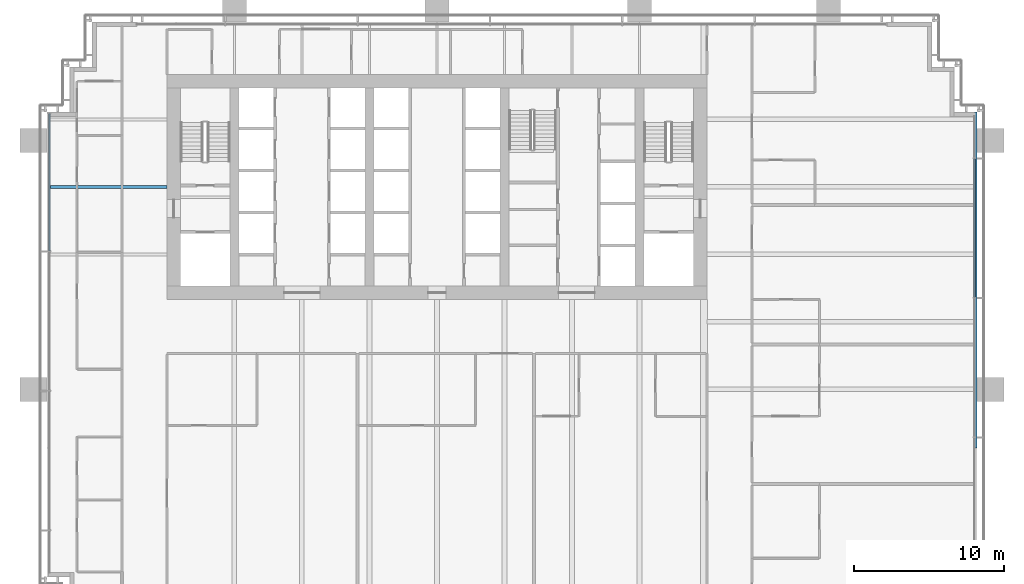
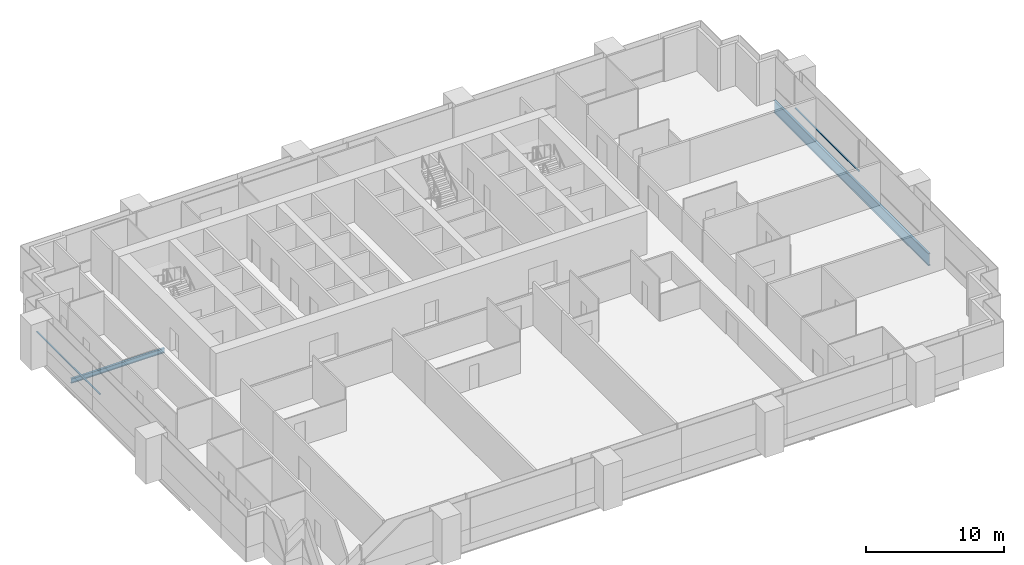
# One storey, part 7 of 19: 2 beams, 2 members, 2 elements without a shape of their own.
"""IFC4 building model written with IfcOpenShell, lengths in metres."""

from ifc_helpers import new_model, si_unit, direction, frame, origin, origin_2d, place, context, subcontext, project, spatial, rectangle, i_section, extrude, material, material_profile, profile_set, type_object, element, aggregate, save


model = new_model("IFC4")

# Units and contexts
model_context = context("Model", 3, precision=1e-05, world=origin(), true_north=direction((0.0, 1.0)))
body_context = subcontext(model_context, "Body", "Model", "MODEL_VIEW")
ifc_project = project(units=[si_unit("LENGTHUNIT", "METRE"), si_unit("AREAUNIT", "SQUARE_METRE"), si_unit("VOLUMEUNIT", "CUBIC_METRE"), si_unit("PLANEANGLEUNIT", "RADIAN"), si_unit("MASSUNIT", "GRAM", prefix="KILO")], contexts=[model_context])

# Site, building, storey
site_placement = place(None, origin())
site = spatial("IfcSite", under=ifc_project, at=site_placement, CompositionType="ELEMENT")
building_placement = place(site_placement, origin())
building = spatial("IfcBuilding", under=site, at=building_placement, Name="Rattan Terrace Tower", CompositionType="ELEMENT")
storey_placement = place(building_placement, frame((0.0, 0.0, 111.699951171875)))
storey = spatial("IfcBuildingStorey", under=building, at=storey_placement, Name="L25", CompositionType="ELEMENT", Elevation=111.699951171875)

# Curtain wall, member
ifc_material_1 = material(Name="Aluminium and glass", Category="aluminium")
curtain_wall_type = type_object("IfcCurtainWallType", Name="Facade Unitised Curtain Wall", PredefinedType="NOTDEFINED", material=ifc_material_1)
curtain_wall_1_placement = place(storey_placement, origin())
curtain_wall_1 = element("IfcCurtainWall", 1, at=curtain_wall_1_placement, inside=storey, type_object=curtain_wall_type, Name="Curtain wall L25-1", PredefinedType="NOTDEFINED")
ifc_material_2 = material(Name="Aluminium", Category="aluminium")
ifc_material_profile_1 = material_profile(ifc_material_2, rectangle(XDim=0.1201171875, YDim=0.06005859375, at=origin_2d()), Name="Aluminium 120x60")
ifc_profile_set_1 = profile_set([ifc_material_profile_1], Name="Aluminium")
member_type = type_object("IfcMemberType", Name="Facade CW Transom 120x60", PredefinedType="USERDEFINED", material=ifc_profile_set_1)
member_1_placement = place(storey_placement, frame((35.830078125, -7.3701171875, 1.0), z_axis=(0.0, 1.0, 0.0), x_axis=(-1.0, 0.0, 0.0)))
member_1 = element("IfcMember", 2, at=member_1_placement, type_object=member_type, Name="Transom cwl-L25-001.3", ObjectType="TRANSOM", PredefinedType="USERDEFINED", context=body_context, shape_type="SweptSolid", body=[
    extrude(rectangle(XDim=0.1201171875, YDim=0.06005859375, at=origin_2d()), origin(), (0.0, 0.0, 1.0), 9.240234375),
])
aggregate(curtain_wall_1, [member_1])

curtain_wall_2_placement = place(storey_placement, origin())
curtain_wall_2 = element("IfcCurtainWall", 3, at=curtain_wall_2_placement, inside=storey, type_object=curtain_wall_type, Name="Curtain wall L25-3", PredefinedType="NOTDEFINED")
member_2_placement = place(storey_placement, frame((-25.830078125, 4.89501953125, 1.0), z_axis=(0.0, -1.0, 0.0), x_axis=(1.0, 0.0, 0.0)))
member_2 = element("IfcMember", 4, at=member_2_placement, type_object=member_type, Name="Transom cwl-L25-003.1", ObjectType="TRANSOM", PredefinedType="USERDEFINED", context=body_context, shape_type="SweptSolid", body=[
    extrude(rectangle(XDim=0.1201171875, YDim=0.06005859375, at=origin_2d()), origin(), (0.0, 0.0, 1.0), 9.1650390625),
])
aggregate(curtain_wall_2, [member_2])

# Beams
ifc_material_3 = material(Name="Steel S460", Category="steel")
ifc_material_profile_2 = material_profile(ifc_material_3, i_section(OverallWidth=0.179931640625, OverallDepth=1.10009765625, WebThickness=0.01611328125, FlangeThickness=0.050048828125, at=origin_2d()), Name="PG 1100x180-16-50")
ifc_profile_set_2 = profile_set([ifc_material_profile_2], Name="Steel S460")
beam_type_1 = type_object("IfcBeamType", Name="Frame edge girder PG 1100x180-16-50", PredefinedType="SPANDREL", material=ifc_profile_set_2)
beam_1_placement = place(storey_placement, frame((35.909912109375, 5.0, -0.75), z_axis=(0.0, -1.0, 0.0), x_axis=(1.0, 0.0, 0.0)))
element("IfcBeam", 5, at=beam_1_placement, inside=storey, type_object=beam_type_1, Name="gdr-L25-005", PredefinedType="SPANDREL", context=body_context, shape_type="SweptSolid", body=[
    extrude(i_section(OverallWidth=0.179931640625, OverallDepth=1.10009765625, WebThickness=0.01611328125, FlangeThickness=0.050048828125, at=origin_2d()), origin(), (0.0, 0.0, 1.0), 22.39990234375),
])
ifc_material_4 = material(Name="Steel S355", Category="steel")
ifc_material_profile_3 = material_profile(ifc_material_4, i_section(OverallWidth=0.179931640625, OverallDepth=0.39990234375, WebThickness=0.008544921875, FlangeThickness=0.013427734375, FilletRadius=0.02099609375, at=origin_2d()), Name="IPE 400")
ifc_profile_set_3 = profile_set([ifc_material_profile_3], Name="Steel S355")
beam_type_2 = type_object("IfcBeamType", Name="Frame floor beam IPE 400", PredefinedType="JOIST", material=ifc_profile_set_3)
beam_2_placement = place(storey_placement, frame((-25.820068359375, 0.0, -0.39990234375), z_axis=(1.0, 0.0, 0.0), x_axis=(0.0, 1.0, 0.0)))
element("IfcBeam", 6, at=beam_2_placement, inside=storey, type_object=beam_type_2, Name="bm-L25-014", PredefinedType="JOIST", context=body_context, shape_type="SweptSolid", body=[
    extrude(i_section(OverallWidth=0.179931640625, OverallDepth=0.39990234375, WebThickness=0.008544921875, FlangeThickness=0.013427734375, FilletRadius=0.02099609375, at=origin_2d()), origin(), (0.0, 0.0, 1.0), 7.820068359375),
])

save(model, "model.ifc")
